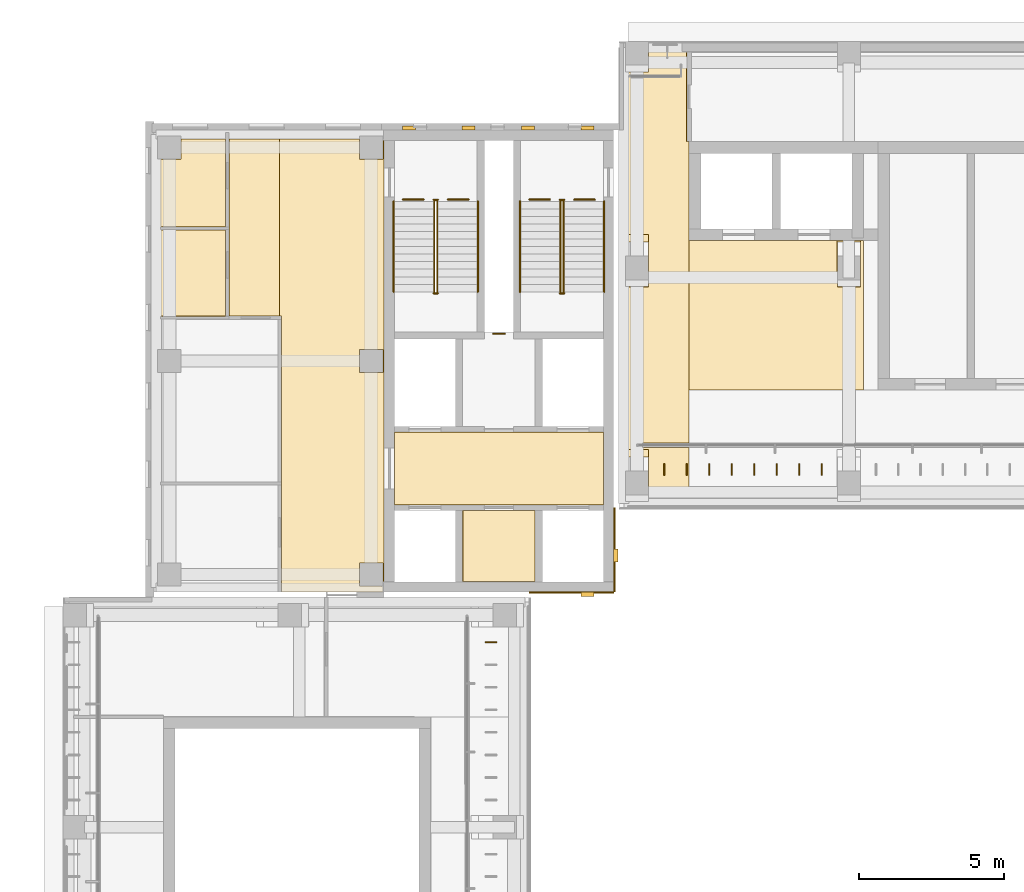
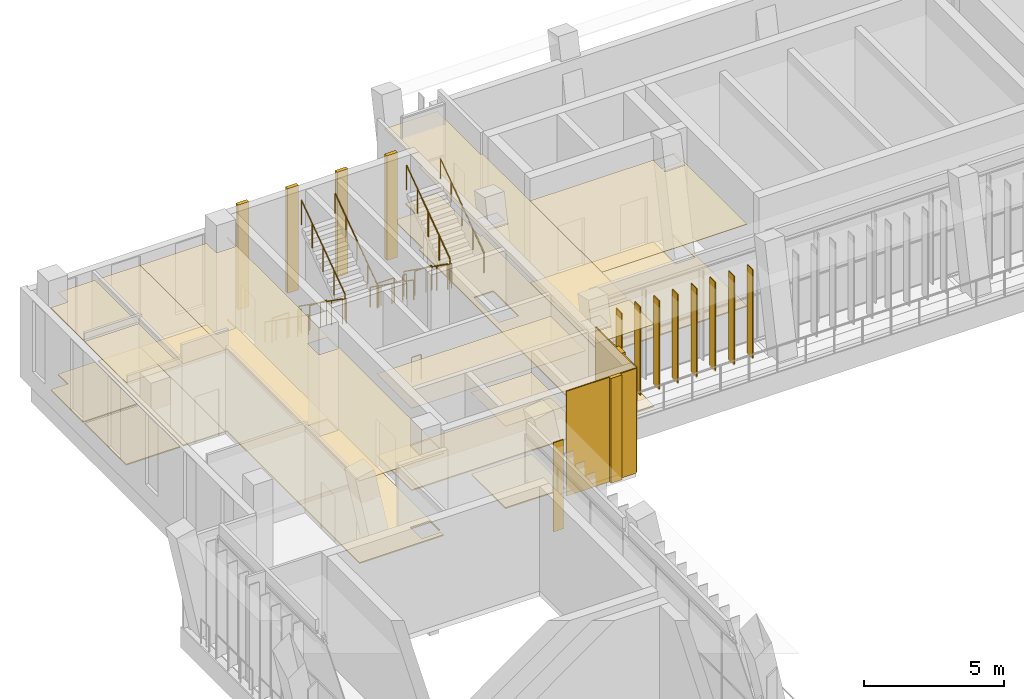
# One storey, part 77 of 89: 24 coverings, 17 railings, 9 shading devices.
"""IFC4 building model written with IfcOpenShell, lengths in metres."""

from ifc_helpers import new_model, si_unit, direction, frame, frame_2d, origin, origin_2d, place, context, subcontext, project, spatial, polyline, rectangle, circle, outline, extrude, material, layer, layer_set, type_object, element, save


model = new_model("IFC4")

# Units and contexts
model_context = context("Model", 3, precision=1e-05, world=origin(), true_north=direction((0.0, 1.0)))
body_context = subcontext(model_context, "Body", "Model", "MODEL_VIEW")
ifc_project = project(units=[si_unit("LENGTHUNIT", "METRE"), si_unit("AREAUNIT", "SQUARE_METRE"), si_unit("VOLUMEUNIT", "CUBIC_METRE"), si_unit("PLANEANGLEUNIT", "RADIAN"), si_unit("MASSUNIT", "GRAM", prefix="KILO")], contexts=[model_context])

# Site, building, storey
site_placement = place(None, origin())
site = spatial("IfcSite", under=ifc_project, at=site_placement, CompositionType="ELEMENT")
building_placement = place(site_placement, origin())
building = spatial("IfcBuilding", under=site, at=building_placement, Name="Lantern Court Media Centre", CompositionType="ELEMENT")
storey_placement = place(building_placement, frame((0.0, 0.0, 14.39990234375)))
storey = spatial("IfcBuildingStorey", under=building, at=storey_placement, Name="L03", CompositionType="ELEMENT", Elevation=14.39990234375)

# Coverings
ifc_material_1 = material(Name="Carpet")
ifc_layer_1 = layer(ifc_material_1, 0.050048828125)
ifc_layer_set_1 = layer_set([ifc_layer_1], Name="Carpet")
covering_type_1 = type_object("IfcCoveringType", Name="Carpet floor finish", PredefinedType="FLOORING", material=ifc_layer_set_1)
covering_1_placement = place(storey_placement, origin())
element("IfcCovering", 1, at=covering_1_placement, inside=storey, type_object=covering_type_1, Name="WC Male floor finish", PredefinedType="FLOORING", context=body_context, shape_type="SweptSolid", body=[
    extrude(outline(polyline([(10.532470703125, 111.699951171875), (10.532470703125, 108.675048828125), (8.300048828125, 108.675048828125), (8.300048828125, 110.9951171875), (9.00341796875, 110.99658203125), (9.0048828125, 111.699951171875), (10.532470703125, 111.699951171875)])), origin(), (0.0, 0.0, 1.0), 0.050048828125),
])
covering_2_placement = place(storey_placement, origin())
element("IfcCovering", 2, at=covering_2_placement, inside=storey, type_object=covering_type_1, Name="WC Female floor finish", PredefinedType="FLOORING", context=body_context, shape_type="SweptSolid", body=[
    extrude(outline(polyline([(8.300048828125, 108.56494140625), (10.532470703125, 108.56494140625), (10.532470703125, 105.594970703125), (8.300048828125, 105.594970703125), (8.300048828125, 108.56494140625)])), origin(), (0.0, 0.0, 1.0), 0.050048828125),
])
ifc_material_2 = material(Name="Ceramic tile")
ifc_layer_2 = layer(ifc_material_2, 0.050048828125)
ifc_layer_set_2 = layer_set([ifc_layer_2], Name="Ceramic tile")
covering_type_2 = type_object("IfcCoveringType", Name="Ceramic tile floor finish", PredefinedType="FLOORING", material=ifc_layer_set_2)
covering_3_placement = place(storey_placement, origin())
element("IfcCovering", 3, at=covering_3_placement, inside=storey, type_object=covering_type_2, Name="Accessible WC floor finish", PredefinedType="FLOORING", context=body_context, shape_type="SweptSolid", body=[
    extrude(outline(polyline([(18.705078125, 96.455078125), (18.705078125, 98.89501953125), (21.195068359375, 98.89501953125), (21.195068359375, 96.455078125), (18.705078125, 96.455078125)])), origin(), (0.0, 0.0, 1.0), 0.050048828125),
])

# Railings
ifc_material_3 = material(Name="Powder-coated steel", Category="steel")
railing_type_1 = type_object("IfcRailingType", Name="Floor edge guard 1100", PredefinedType="GUARDRAIL", material=ifc_material_3)
railing_1_placement = place(storey_placement, frame((16.64990234375, 109.609619140625, 0.0)))
element("IfcRailing", 4, at=railing_1_placement, inside=storey, type_object=railing_type_1, Name="L03 opening guard 92", PredefinedType="GUARDRAIL", context=body_context, shape_type="SweptSolid", body=[
    extrude(circle(Radius=0.02392578125, at=origin_2d()), frame((0.0, 0.0, 1.076171875), z_axis=(1.0, 0.0, 0.0), x_axis=(0.0, 1.0, 0.0)), (0.0, 0.0, 1.0), 0.703857421875),
    extrude(circle(Radius=0.02099609375, at=origin_2d()), origin(), (0.0, 0.0, 1.0), 1.052001953125),
    extrude(circle(Radius=0.02099609375, at=origin_2d()), frame((0.703857421875, 0.0, 0.0)), (0.0, 0.0, 1.0), 1.052001953125),
])
for number, where, name in (
    (5, (18.1962890625, 109.609619140625, 0.0), "L03 opening guard 93"),
    (6, (21.0, 109.609619140625, 0.0), "L03 opening guard 94"),
    (7, (22.54638671875, 109.609619140625, 0.0), "L03 opening guard 95"),
):
    element("IfcRailing", number, at=place(storey_placement, frame(where)), inside=storey, type_object=railing_type_1, Name=name, PredefinedType="GUARDRAIL", context=body_context, shape_type="SweptSolid", body=[
        extrude(circle(Radius=0.02392578125, at=origin_2d()), frame((0.0, 0.0, 1.076171875), z_axis=(1.0, 0.0, 0.0), x_axis=(0.0, 1.0, 0.0)), (0.0, 0.0, 1.0), 0.70361328125),
        extrude(circle(Radius=0.02099609375, at=origin_2d()), origin(), (0.0, 0.0, 1.0), 1.052001953125),
        extrude(circle(Radius=0.02099609375, at=origin_2d()), frame((0.70361328125, 0.0, 0.0)), (0.0, 0.0, 1.0), 1.052001953125),
    ])
railing_2_placement = place(storey_placement, frame((20.14990234375, 104.989990234375, 0.0)))
element("IfcRailing", 8, at=railing_2_placement, inside=storey, type_object=railing_type_1, Name="L03 opening guard 96", PredefinedType="GUARDRAIL", context=body_context, shape_type="SweptSolid", body=[
    extrude(circle(Radius=0.02392578125, at=origin_2d()), frame((0.0, 0.0, 1.076171875), z_axis=(-1.0, 0.0, 0.0), x_axis=(0.0, -1.0, 0.0)), (0.0, 0.0, 1.0), 0.39990234375),
    extrude(circle(Radius=0.02099609375, at=origin_2d()), origin(), (0.0, 0.0, 1.0), 1.052001953125),
    extrude(circle(Radius=0.02099609375, at=origin_2d()), frame((-0.39990234375, 0.0, 0.0)), (0.0, 0.0, 1.0), 1.052001953125),
])

# Coverings
ifc_material_4 = material(Name="Honed limestone cladding", Category="masonry")
ifc_layer_3 = layer(ifc_material_4, 0.050048828125)
ifc_layer_set_3 = layer_set([ifc_layer_3], Name="Honed limestone cladding")
covering_type_3 = type_object("IfcCoveringType", Name="Limestone cladding panel 50", PredefinedType="CLADDING", material=ifc_layer_set_3)
for number, where, z_axis, x_axis, name in (
    (9, (23.925048828125, 96.10009765625, 0.0), (0.0, 0.0, 1.0), (0.0, 1.0, 0.0), "Limestone joint cladding N-NW L03"),
    (10, (21.0, 96.074951171875, 0.0), (0.0, 0.0, 1.0), (1.0, 0.0, 0.0), "Limestone joint cladding W-NW L03"),
):
    element("IfcCovering", number, at=place(storey_placement, frame(where, z_axis=z_axis, x_axis=x_axis)), inside=storey, type_object=covering_type_3, Name=name, PredefinedType="CLADDING", context=body_context, shape_type="SweptSolid", body=[
        extrude(rectangle(XDim=2.89990234375, YDim=0.050048828125, at=frame_2d((1.449951171875, 0.0))), origin(), (0.0, 0.0, 1.0), 4.580078125),
    ])
ifc_layer_4 = layer(ifc_material_4, 0.14990234375)
ifc_layer_set_4 = layer_set([ifc_layer_4], Name="Honed limestone cladding")
covering_type_4 = type_object("IfcCoveringType", Name="Limestone pilaster cladding 150", PredefinedType="CLADDING", material=ifc_layer_set_4)
covering_4_placement = place(storey_placement, frame((22.77490234375, 96.02490234375, 0.0), z_axis=(0.0, 0.0, 1.0), x_axis=(1.0, 0.0, 0.0)))
element("IfcCovering", 11, at=covering_4_placement, inside=storey, type_object=covering_type_4, Name="Limestone pilaster rib", PredefinedType="CLADDING", context=body_context, shape_type="SweptSolid", body=[
    extrude(rectangle(XDim=0.4501953125, YDim=0.14990234375, at=frame_2d((0.22509765625, 0.0))), origin(), (0.0, 0.0, 1.0), 4.580078125),
])
for number, where, z_axis, x_axis, name in (
    (12, (16.625, 112.074951171875, 0.0), (0.0, 0.0, 1.0), (1.0, 0.0, 0.0), "Limestone pilaster rib"),
    (13, (18.675048828125, 112.074951171875, 0.0), (0.0, 0.0, 1.0), (1.0, 0.0, 0.0), "Limestone pilaster rib"),
    (14, (20.72509765625, 112.074951171875, 0.0), (0.0, 0.0, 1.0), (1.0, 0.0, 0.0), "Limestone pilaster rib"),
):
    element("IfcCovering", number, at=place(storey_placement, frame(where, z_axis=z_axis, x_axis=x_axis)), inside=storey, type_object=covering_type_4, Name=name, PredefinedType="CLADDING", context=body_context, shape_type="SweptSolid", body=[
        extrude(rectangle(XDim=0.449951171875, YDim=0.14990234375, at=frame_2d((0.22509765625, 0.0))), origin(), (0.0, 0.0, 1.0), 4.580078125),
    ])
covering_5_placement = place(storey_placement, frame((22.77490234375, 112.074951171875, 0.0), z_axis=(0.0, 0.0, 1.0), x_axis=(1.0, 0.0, 0.0)))
element("IfcCovering", 15, at=covering_5_placement, inside=storey, type_object=covering_type_4, Name="Limestone pilaster rib", PredefinedType="CLADDING", context=body_context, shape_type="SweptSolid", body=[
    extrude(rectangle(XDim=0.4501953125, YDim=0.14990234375, at=frame_2d((0.22509765625, 0.0))), origin(), (0.0, 0.0, 1.0), 4.580078125),
])
covering_6_placement = place(storey_placement, frame((23.97509765625, 97.125, 0.0), z_axis=(0.0, 0.0, 1.0), x_axis=(0.0, 1.0, 0.0)))
element("IfcCovering", 16, at=covering_6_placement, inside=storey, type_object=covering_type_4, Name="Limestone pilaster rib", PredefinedType="CLADDING", context=body_context, shape_type="SweptSolid", body=[
    extrude(rectangle(XDim=0.449951171875, YDim=0.14990234375, at=frame_2d((0.22509765625, 0.0))), origin(), (0.0, 0.0, 1.0), 4.580078125),
])

# Railings
railing_type_2 = type_object("IfcRailingType", Name="Stair guard 1100", PredefinedType="GUARDRAIL", material=ifc_material_3)
railing_3_placement = place(storey_placement, frame((17.72412109375, 109.550048828125, 0.184814453125)))
element("IfcRailing", 17, at=railing_3_placement, inside=storey, type_object=railing_type_2, Name="L03 ST-NWA stair guard 1", PredefinedType="GUARDRAIL", context=body_context, shape_type="SweptSolid", body=[
    extrude(circle(Radius=0.02392578125, at=origin_2d()), frame((0.0, 0.0, 1.076171875), z_axis=(0.0, -0.815376961211, 0.578930402662), x_axis=(1.0, 0.0, 0.0)), (0.0, 0.0, 1.0), 3.82666015625),
    extrude(circle(Radius=0.02099609375, at=origin_2d()), origin(), (0.0, 0.0, 1.0), 1.052001953125),
    extrude(circle(Radius=0.02099609375, at=origin_2d()), frame((0.0, -0.780029296875, 0.5537109375)), (0.0, 0.0, 1.0), 1.052001953125),
    extrude(circle(Radius=0.02099609375, at=origin_2d()), frame((0.0, -1.56005859375, 1.107666015625)), (0.0, 0.0, 1.0), 1.052001953125),
    extrude(circle(Radius=0.02099609375, at=origin_2d()), frame((0.0, -2.340087890625, 1.66162109375)), (0.0, 0.0, 1.0), 1.052001953125),
    extrude(circle(Radius=0.02099609375, at=origin_2d()), frame((0.0, -3.1201171875, 2.21533203125)), (0.0, 0.0, 1.0), 1.052001953125),
])
railing_4_placement = place(storey_placement, frame((17.699951171875, 106.3798828125, 2.400146484375)))
element("IfcRailing", 18, at=railing_4_placement, inside=storey, type_object=railing_type_2, Name="L03 ST-NWA stair guard 2", PredefinedType="GUARDRAIL", context=body_context, shape_type="SweptSolid", body=[
    extrude(circle(Radius=0.02392578125, at=origin_2d()), frame((0.0, 0.0, 1.076171875), z_axis=(1.0, 0.0, 0.0), x_axis=(0.0, 1.0, 0.0)), (0.0, 0.0, 1.0), 0.150146484375),
    extrude(circle(Radius=0.02099609375, at=origin_2d()), origin(), (0.0, 0.0, 1.0), 1.052001953125),
    extrude(circle(Radius=0.02099609375, at=origin_2d()), frame((0.150146484375, 0.0, 0.0)), (0.0, 0.0, 1.0), 1.052001953125),
])
railing_5_placement = place(storey_placement, frame((17.825927734375, 106.429931640625, 2.584716796875)))
element("IfcRailing", 19, at=railing_5_placement, inside=storey, type_object=railing_type_2, Name="L03 ST-NWA stair guard 3", PredefinedType="GUARDRAIL", context=body_context, shape_type="SweptSolid", body=[
    extrude(circle(Radius=0.02392578125, at=origin_2d()), frame((0.0, 0.0, 1.076171875), z_axis=(0.0, 0.815376961211, 0.578930402662), x_axis=(-1.0, 0.0, 0.0)), (0.0, 0.0, 1.0), 3.82666015625),
    extrude(circle(Radius=0.02099609375, at=origin_2d()), origin(), (0.0, 0.0, 1.0), 1.052001953125),
    extrude(circle(Radius=0.02099609375, at=origin_2d()), frame((0.0, 0.780029296875, 0.5537109375)), (0.0, 0.0, 1.0), 1.052001953125),
    extrude(circle(Radius=0.02099609375, at=origin_2d()), frame((0.0, 1.56005859375, 1.107666015625)), (0.0, 0.0, 1.0), 1.052001953125),
    extrude(circle(Radius=0.02099609375, at=origin_2d()), frame((0.0, 2.340087890625, 1.66162109375)), (0.0, 0.0, 1.0), 1.052001953125),
    extrude(circle(Radius=0.02099609375, at=origin_2d()), frame((0.0, 3.1201171875, 2.21533203125)), (0.0, 0.0, 1.0), 1.052001953125),
])
railing_6_placement = place(storey_placement, frame((17.699951171875, 109.60009765625, 0.0)))
element("IfcRailing", 20, at=railing_6_placement, inside=storey, type_object=railing_type_2, Name="L03 ST-NWA stair guard 4", PredefinedType="GUARDRAIL", context=body_context, shape_type="SweptSolid", body=[
    extrude(circle(Radius=0.02392578125, at=origin_2d()), frame((0.0, 0.0, 1.076171875), z_axis=(1.0, 0.0, 0.0), x_axis=(0.0, 1.0, 0.0)), (0.0, 0.0, 1.0), 0.150146484375),
    extrude(circle(Radius=0.02099609375, at=origin_2d()), origin(), (0.0, 0.0, 1.0), 1.052001953125),
    extrude(circle(Radius=0.02099609375, at=origin_2d()), frame((0.150146484375, 0.0, 0.0)), (0.0, 0.0, 1.0), 1.052001953125),
])
railing_7_placement = place(storey_placement, frame((22.073974609375, 109.550048828125, 0.184814453125)))
element("IfcRailing", 21, at=railing_7_placement, inside=storey, type_object=railing_type_2, Name="L03 ST-NWB stair guard 1", PredefinedType="GUARDRAIL", context=body_context, shape_type="SweptSolid", body=[
    extrude(circle(Radius=0.02392578125, at=origin_2d()), frame((0.0, 0.0, 1.076171875), z_axis=(0.0, -0.815376961211, 0.578930402662), x_axis=(1.0, 0.0, 0.0)), (0.0, 0.0, 1.0), 3.82666015625),
    extrude(circle(Radius=0.02099609375, at=origin_2d()), origin(), (0.0, 0.0, 1.0), 1.052001953125),
    extrude(circle(Radius=0.02099609375, at=origin_2d()), frame((0.0, -0.780029296875, 0.5537109375)), (0.0, 0.0, 1.0), 1.052001953125),
    extrude(circle(Radius=0.02099609375, at=origin_2d()), frame((0.0, -1.56005859375, 1.107666015625)), (0.0, 0.0, 1.0), 1.052001953125),
    extrude(circle(Radius=0.02099609375, at=origin_2d()), frame((0.0, -2.340087890625, 1.66162109375)), (0.0, 0.0, 1.0), 1.052001953125),
    extrude(circle(Radius=0.02099609375, at=origin_2d()), frame((0.0, -3.1201171875, 2.21533203125)), (0.0, 0.0, 1.0), 1.052001953125),
])
railing_8_placement = place(storey_placement, frame((22.050048828125, 106.3798828125, 2.400146484375)))
element("IfcRailing", 22, at=railing_8_placement, inside=storey, type_object=railing_type_2, Name="L03 ST-NWB stair guard 2", PredefinedType="GUARDRAIL", context=body_context, shape_type="SweptSolid", body=[
    extrude(circle(Radius=0.02392578125, at=origin_2d()), frame((0.0, 0.0, 1.076171875), z_axis=(1.0, 0.0, 0.0), x_axis=(0.0, 1.0, 0.0)), (0.0, 0.0, 1.0), 0.14990234375),
    extrude(circle(Radius=0.02099609375, at=origin_2d()), origin(), (0.0, 0.0, 1.0), 1.052001953125),
    extrude(circle(Radius=0.02099609375, at=origin_2d()), frame((0.14990234375, 0.0, 0.0)), (0.0, 0.0, 1.0), 1.052001953125),
])
railing_9_placement = place(storey_placement, frame((22.176025390625, 106.429931640625, 2.584716796875)))
element("IfcRailing", 23, at=railing_9_placement, inside=storey, type_object=railing_type_2, Name="L03 ST-NWB stair guard 3", PredefinedType="GUARDRAIL", context=body_context, shape_type="SweptSolid", body=[
    extrude(circle(Radius=0.02392578125, at=origin_2d()), frame((0.0, 0.0, 1.076171875), z_axis=(0.0, 0.815376961211, 0.578930402662), x_axis=(-1.0, 0.0, 0.0)), (0.0, 0.0, 1.0), 3.82666015625),
    extrude(circle(Radius=0.02099609375, at=origin_2d()), origin(), (0.0, 0.0, 1.0), 1.052001953125),
    extrude(circle(Radius=0.02099609375, at=origin_2d()), frame((0.0, 0.780029296875, 0.5537109375)), (0.0, 0.0, 1.0), 1.052001953125),
    extrude(circle(Radius=0.02099609375, at=origin_2d()), frame((0.0, 1.56005859375, 1.107666015625)), (0.0, 0.0, 1.0), 1.052001953125),
    extrude(circle(Radius=0.02099609375, at=origin_2d()), frame((0.0, 2.340087890625, 1.66162109375)), (0.0, 0.0, 1.0), 1.052001953125),
    extrude(circle(Radius=0.02099609375, at=origin_2d()), frame((0.0, 3.1201171875, 2.21533203125)), (0.0, 0.0, 1.0), 1.052001953125),
])
railing_10_placement = place(storey_placement, frame((22.050048828125, 109.60009765625, 0.0)))
element("IfcRailing", 24, at=railing_10_placement, inside=storey, type_object=railing_type_2, Name="L03 ST-NWB stair guard 4", PredefinedType="GUARDRAIL", context=body_context, shape_type="SweptSolid", body=[
    extrude(circle(Radius=0.02392578125, at=origin_2d()), frame((0.0, 0.0, 1.076171875), z_axis=(1.0, 0.0, 0.0), x_axis=(0.0, 1.0, 0.0)), (0.0, 0.0, 1.0), 0.14990234375),
    extrude(circle(Radius=0.02099609375, at=origin_2d()), origin(), (0.0, 0.0, 1.0), 1.052001953125),
    extrude(circle(Radius=0.02099609375, at=origin_2d()), frame((0.14990234375, 0.0, 0.0)), (0.0, 0.0, 1.0), 1.052001953125),
])
railing_type_3 = type_object("IfcRailingType", Name="Stair handrail 900", PredefinedType="HANDRAIL", material=ifc_material_3)
railing_11_placement = place(storey_placement, frame((16.325927734375, 109.550048828125, 0.184814453125)))
element("IfcRailing", 25, at=railing_11_placement, inside=storey, type_object=railing_type_3, Name="L03 ST-NWA stair handrail 1", PredefinedType="HANDRAIL", context=body_context, shape_type="SweptSolid", body=[
    extrude(circle(Radius=0.02392578125, at=origin_2d()), frame((0.0, 0.0, 0.8759765625), z_axis=(0.0, -0.815376961211, 0.578930402662), x_axis=(1.0, 0.0, 0.0)), (0.0, 0.0, 1.0), 3.82666015625),
    extrude(circle(Radius=0.02099609375, at=origin_2d()), origin(), (0.0, 0.0, 1.0), 0.851806640625),
    extrude(circle(Radius=0.02099609375, at=origin_2d()), frame((0.0, -0.780029296875, 0.5537109375)), (0.0, 0.0, 1.0), 0.851806640625),
    extrude(circle(Radius=0.02099609375, at=origin_2d()), frame((0.0, -1.56005859375, 1.107666015625)), (0.0, 0.0, 1.0), 0.851806640625),
    extrude(circle(Radius=0.02099609375, at=origin_2d()), frame((0.0, -2.340087890625, 1.66162109375)), (0.0, 0.0, 1.0), 0.851806640625),
    extrude(circle(Radius=0.02099609375, at=origin_2d()), frame((0.0, -3.1201171875, 2.21533203125)), (0.0, 0.0, 1.0), 0.851806640625),
])
railing_12_placement = place(storey_placement, frame((19.22412109375, 106.429931640625, 2.584716796875)))
element("IfcRailing", 26, at=railing_12_placement, inside=storey, type_object=railing_type_3, Name="L03 ST-NWA stair handrail 2", PredefinedType="HANDRAIL", context=body_context, shape_type="SweptSolid", body=[
    extrude(circle(Radius=0.02392578125, at=origin_2d()), frame((0.0, 0.0, 0.8759765625), z_axis=(0.0, 0.815376961211, 0.578930402662), x_axis=(-1.0, 0.0, 0.0)), (0.0, 0.0, 1.0), 3.82666015625),
    extrude(circle(Radius=0.02099609375, at=origin_2d()), origin(), (0.0, 0.0, 1.0), 0.851806640625),
    extrude(circle(Radius=0.02099609375, at=origin_2d()), frame((0.0, 0.780029296875, 0.5537109375)), (0.0, 0.0, 1.0), 0.851806640625),
    extrude(circle(Radius=0.02099609375, at=origin_2d()), frame((0.0, 1.56005859375, 1.107666015625)), (0.0, 0.0, 1.0), 0.851806640625),
    extrude(circle(Radius=0.02099609375, at=origin_2d()), frame((0.0, 2.340087890625, 1.66162109375)), (0.0, 0.0, 1.0), 0.851806640625),
    extrude(circle(Radius=0.02099609375, at=origin_2d()), frame((0.0, 3.1201171875, 2.21533203125)), (0.0, 0.0, 1.0), 0.851806640625),
])
railing_13_placement = place(storey_placement, frame((20.676025390625, 109.550048828125, 0.184814453125)))
element("IfcRailing", 27, at=railing_13_placement, inside=storey, type_object=railing_type_3, Name="L03 ST-NWB stair handrail 1", PredefinedType="HANDRAIL", context=body_context, shape_type="SweptSolid", body=[
    extrude(circle(Radius=0.02392578125, at=origin_2d()), frame((0.0, 0.0, 0.8759765625), z_axis=(0.0, -0.815376961211, 0.578930402662), x_axis=(1.0, 0.0, 0.0)), (0.0, 0.0, 1.0), 3.82666015625),
    extrude(circle(Radius=0.02099609375, at=origin_2d()), origin(), (0.0, 0.0, 1.0), 0.851806640625),
    extrude(circle(Radius=0.02099609375, at=origin_2d()), frame((0.0, -0.780029296875, 0.5537109375)), (0.0, 0.0, 1.0), 0.851806640625),
    extrude(circle(Radius=0.02099609375, at=origin_2d()), frame((0.0, -1.56005859375, 1.107666015625)), (0.0, 0.0, 1.0), 0.851806640625),
    extrude(circle(Radius=0.02099609375, at=origin_2d()), frame((0.0, -2.340087890625, 1.66162109375)), (0.0, 0.0, 1.0), 0.851806640625),
    extrude(circle(Radius=0.02099609375, at=origin_2d()), frame((0.0, -3.1201171875, 2.21533203125)), (0.0, 0.0, 1.0), 0.851806640625),
])
railing_14_placement = place(storey_placement, frame((23.573974609375, 106.429931640625, 2.584716796875)))
element("IfcRailing", 28, at=railing_14_placement, inside=storey, type_object=railing_type_3, Name="L03 ST-NWB stair handrail 2", PredefinedType="HANDRAIL", context=body_context, shape_type="SweptSolid", body=[
    extrude(circle(Radius=0.02392578125, at=origin_2d()), frame((0.0, 0.0, 0.8759765625), z_axis=(0.0, 0.815376961211, 0.578930402662), x_axis=(-1.0, 0.0, 0.0)), (0.0, 0.0, 1.0), 3.82666015625),
    extrude(circle(Radius=0.02099609375, at=origin_2d()), origin(), (0.0, 0.0, 1.0), 0.851806640625),
    extrude(circle(Radius=0.02099609375, at=origin_2d()), frame((0.0, 0.780029296875, 0.5537109375)), (0.0, 0.0, 1.0), 0.851806640625),
    extrude(circle(Radius=0.02099609375, at=origin_2d()), frame((0.0, 1.56005859375, 1.107666015625)), (0.0, 0.0, 1.0), 0.851806640625),
    extrude(circle(Radius=0.02099609375, at=origin_2d()), frame((0.0, 2.340087890625, 1.66162109375)), (0.0, 0.0, 1.0), 0.851806640625),
    extrude(circle(Radius=0.02099609375, at=origin_2d()), frame((0.0, 3.1201171875, 2.21533203125)), (0.0, 0.0, 1.0), 0.851806640625),
])

# Coverings
ifc_material_5 = material(Name="Mineral fibre ceiling tile")
ifc_layer_5 = layer(ifc_material_5, 0.02001953125)
ifc_layer_set_5 = layer_set([ifc_layer_5], Name="Mineral fibre ceiling tile")
covering_type_5 = type_object("IfcCoveringType", Name="Suspended ceiling tile", PredefinedType="CEILING", material=ifc_layer_set_5)
covering_7_placement = place(storey_placement, frame((0.0, 0.0, 3.60009765625)))
element("IfcCovering", 29, at=covering_7_placement, inside=storey, type_object=covering_type_5, Name="End Lobby ceiling", PredefinedType="CEILING", context=body_context, shape_type="SweptSolid", body=[
    extrude(outline(polyline([(26.5, 99.300048828125), (24.10009765625, 99.300048828125), (24.10009765625, 111.99951171875), (24.240478515625, 112.0), (24.240478515625, 114.699951171875), (26.5, 114.699462890625), (26.41943359375, 114.695068359375), (26.41943359375, 111.60498046875), (26.5, 111.6044921875), (26.5, 101.2255859375), (24.8994140625, 101.22509765625), (24.89990234375, 101.074462890625), (26.5, 101.074462890625), (26.5, 99.300048828125)]), holes=[polyline([(25.10009765625, 107.3515625), (25.10009765625, 107.400390625), (24.299560546875, 107.400146484375), (24.300048828125, 107.3515625), (25.10009765625, 107.3515625)]), polyline([(25.10009765625, 100.199462890625), (25.100341796875, 100.75244140625), (24.299560546875, 100.75244140625), (24.2998046875, 100.199462890625), (25.10009765625, 100.199462890625)]), polyline([(25.10009765625, 99.95166015625), (25.10009765625, 100.00048828125), (24.299560546875, 100.0), (24.300048828125, 99.95166015625), (25.10009765625, 99.95166015625)]), polyline([(25.1005859375, 108.152099609375), (24.2998046875, 108.152587890625), (24.299560546875, 107.599609375), (25.100341796875, 107.599609375), (25.1005859375, 108.152099609375)])]), origin(), (0.0, 0.0, 1.0), 0.02001953125),
])
covering_8_placement = place(storey_placement, frame((0.0, 0.0, 3.60009765625)))
element("IfcCovering", 30, at=covering_8_placement, inside=storey, type_object=covering_type_5, Name="Lift Lobby ceiling", PredefinedType="CEILING", context=body_context, shape_type="SweptSolid", body=[
    extrude(outline(polyline([(32.5, 103.050048828125), (26.5, 103.050048828125), (26.5, 108.199462890625), (32.5, 108.199462890625), (32.5, 103.050048828125)]), holes=[polyline([(32.39990234375, 107.599609375), (32.400390625, 108.152587890625), (31.599609375, 108.15234375), (31.599609375, 107.599609375), (32.39990234375, 107.599609375)]), polyline([(32.400390625, 107.39990234375), (31.599853515625, 107.400390625), (31.599609375, 107.35205078125), (32.400146484375, 107.3515625), (32.400390625, 107.39990234375)])]), origin(), (0.0, 0.0, 1.0), 0.02001953125),
])
covering_9_placement = place(storey_placement, frame((0.0, 0.0, 3.60009765625)))
element("IfcCovering", 31, at=covering_9_placement, inside=storey, type_object=covering_type_5, Name="Lift Lobby ceiling", PredefinedType="CEILING", context=body_context, shape_type="SweptSolid", body=[
    extrude(outline(polyline([(16.3505859375, 99.1005859375), (16.3505859375, 101.599609375), (23.549560546875, 101.599609375), (23.549560546875, 99.1005859375), (16.3505859375, 99.1005859375)])), origin(), (0.0, 0.0, 1.0), 0.02001953125),
])
covering_10_placement = place(storey_placement, frame((0.0, 0.0, 3.60009765625)))
element("IfcCovering", 32, at=covering_10_placement, inside=storey, type_object=covering_type_5, Name="Accessible WC ceiling", PredefinedType="CEILING", context=body_context, shape_type="SweptSolid", body=[
    extrude(outline(polyline([(21.199462890625, 96.450439453125), (18.700439453125, 96.450439453125), (18.700439453125, 98.8994140625), (21.199462890625, 98.8994140625), (21.199462890625, 96.450439453125)])), origin(), (0.0, 0.0, 1.0), 0.02001953125),
])
covering_11_placement = place(storey_placement, frame((0.0, 0.0, 3.60009765625)))
element("IfcCovering", 33, at=covering_11_placement, inside=storey, type_object=covering_type_5, Name="Corridor ceiling", PredefinedType="CEILING", context=body_context, shape_type="SweptSolid", body=[
    extrude(outline(polyline([(12.39990234375, 111.699951171875), (15.1494140625, 111.699951171875), (15.14990234375, 110.99951171875), (15.950439453125, 110.99951171875), (15.950439453125, 111.6494140625), (15.99951171875, 111.6494140625), (15.99951171875, 96.450439453125), (15.950439453125, 96.450439453125), (15.950439453125, 97.100341796875), (15.1494140625, 97.10009765625), (15.149658203125, 96.299560546875), (15.949462890625, 96.299560546875), (15.949462890625, 96.1005859375), (12.462890625, 96.10009765625), (12.462890625, 105.6025390625), (12.39990234375, 105.60302734375), (12.39990234375, 111.699951171875)]), holes=[polyline([(15.949951171875, 103.6494140625), (15.950439453125, 104.450439453125), (15.149658203125, 104.450439453125), (15.149658203125, 103.649658203125), (15.949951171875, 103.6494140625)])]), origin(), (0.0, 0.0, 1.0), 0.02001953125),
])
covering_12_placement = place(storey_placement, frame((0.0, 0.0, 3.60009765625)))
element("IfcCovering", 34, at=covering_12_placement, inside=storey, type_object=covering_type_5, Name="WC Lobby ceiling", PredefinedType="CEILING", context=body_context, shape_type="SweptSolid", body=[
    extrude(outline(polyline([(12.39990234375, 111.699951171875), (12.39990234375, 105.60302734375), (10.6630859375, 105.60302734375), (10.6630859375, 111.699951171875), (12.39990234375, 111.699951171875)])), origin(), (0.0, 0.0, 1.0), 0.02001953125),
])
covering_13_placement = place(storey_placement, frame((0.0, 0.0, 3.60009765625)))
element("IfcCovering", 35, at=covering_13_placement, inside=storey, type_object=covering_type_5, Name="WC Male ceiling", PredefinedType="CEILING", context=body_context, shape_type="SweptSolid", body=[
    extrude(outline(polyline([(10.537109375, 111.699951171875), (10.537109375, 108.67041015625), (8.300048828125, 108.67041015625), (8.300048828125, 110.99951171875), (9.000244140625, 110.999755859375), (9.00048828125, 111.699951171875), (10.537109375, 111.699951171875)])), origin(), (0.0, 0.0, 1.0), 0.02001953125),
])
covering_14_placement = place(storey_placement, frame((0.0, 0.0, 3.60009765625)))
element("IfcCovering", 36, at=covering_14_placement, inside=storey, type_object=covering_type_5, Name="WC Female ceiling", PredefinedType="CEILING", context=body_context, shape_type="SweptSolid", body=[
    extrude(outline(polyline([(8.300048828125, 108.569580078125), (10.537109375, 108.569580078125), (10.537109375, 105.590576171875), (8.300048828125, 105.590576171875), (8.300048828125, 108.569580078125)])), origin(), (0.0, 0.0, 1.0), 0.02001953125),
])
ifc_material_6 = material(Name="Terrazzo")
ifc_layer_6 = layer(ifc_material_6, 0.050048828125)
ifc_layer_set_6 = layer_set([ifc_layer_6], Name="Terrazzo")
covering_type_6 = type_object("IfcCoveringType", Name="Terrazzo floor finish", PredefinedType="FLOORING", material=ifc_layer_set_6)
covering_15_placement = place(storey_placement, origin())
element("IfcCovering", 37, at=covering_15_placement, inside=storey, type_object=covering_type_6, Name="End Lobby floor finish", PredefinedType="FLOORING", context=body_context, shape_type="SweptSolid", body=[
    extrude(outline(polyline([(26.5, 99.300048828125), (25.10498046875, 99.300048828125), (25.10009765625, 101.0048828125), (24.295654296875, 101.00244140625), (24.294921875, 99.300048828125), (24.10009765625, 99.300048828125), (24.10009765625, 111.9951171875), (24.244873046875, 111.99951171875), (24.2451171875, 114.699951171875), (24.294921875, 114.699951171875), (24.300048828125, 113.9951171875), (25.103271484375, 113.99609375), (25.10498046875, 114.699951171875), (26.4150390625, 114.695068359375), (26.4150390625, 111.60498046875), (26.4951171875, 111.60009765625), (26.5, 101.22998046875), (24.8994140625, 101.22998046875), (24.89501953125, 101.074951171875), (26.5, 101.070068359375), (26.5, 99.300048828125)]), holes=[polyline([(24.294921875, 106.60009765625), (25.104736328125, 106.59814453125), (25.101806640625, 108.404541015625), (24.29541015625, 108.40185546875), (24.294921875, 106.60009765625)])]), origin(), (0.0, 0.0, 1.0), 0.050048828125),
])
covering_16_placement = place(storey_placement, origin())
element("IfcCovering", 38, at=covering_16_placement, inside=storey, type_object=covering_type_6, Name="Lift Lobby floor finish", PredefinedType="FLOORING", context=body_context, shape_type="SweptSolid", body=[
    extrude(outline(polyline([(32.5, 103.050048828125), (26.5, 103.050048828125), (26.5, 108.195068359375), (31.594970703125, 108.195068359375), (31.60009765625, 106.594970703125), (32.404296875, 106.59765625), (32.405029296875, 108.195068359375), (32.5, 108.195068359375), (32.5, 103.050048828125)])), origin(), (0.0, 0.0, 1.0), 0.050048828125),
])
covering_17_placement = place(storey_placement, origin())
element("IfcCovering", 39, at=covering_17_placement, inside=storey, type_object=covering_type_6, Name="Lift Lobby floor finish", PredefinedType="FLOORING", context=body_context, shape_type="SweptSolid", body=[
    extrude(outline(polyline([(16.35498046875, 99.10498046875), (16.35498046875, 101.594970703125), (23.544921875, 101.594970703125), (23.544921875, 99.10498046875), (16.35498046875, 99.10498046875)])), origin(), (0.0, 0.0, 1.0), 0.050048828125),
])
covering_18_placement = place(storey_placement, origin())
element("IfcCovering", 40, at=covering_18_placement, inside=storey, type_object=covering_type_6, Name="Corridor floor finish", PredefinedType="FLOORING", context=body_context, shape_type="SweptSolid", body=[
    extrude(outline(polyline([(12.39990234375, 111.699951171875), (15.14501953125, 111.699951171875), (15.14990234375, 110.9951171875), (15.953125, 110.99609375), (15.955078125, 111.64501953125), (15.9951171875, 111.64501953125), (15.9951171875, 96.455078125), (15.955078125, 96.455078125), (15.953125, 97.103759765625), (15.14501953125, 97.10009765625), (15.146240234375, 96.296875), (15.945068359375, 96.294921875), (15.945068359375, 96.10498046875), (12.467529296875, 96.10009765625), (12.467529296875, 105.6025390625), (12.39990234375, 105.607421875), (12.39990234375, 111.699951171875)]), holes=[polyline([(15.14501953125, 103.64990234375), (15.95361328125, 103.646484375), (15.95361328125, 104.45361328125), (15.146484375, 104.45361328125), (15.14501953125, 103.64990234375)])]), origin(), (0.0, 0.0, 1.0), 0.050048828125),
])
covering_19_placement = place(storey_placement, origin())
element("IfcCovering", 41, at=covering_19_placement, inside=storey, type_object=covering_type_6, Name="WC Lobby floor finish", PredefinedType="FLOORING", context=body_context, shape_type="SweptSolid", body=[
    extrude(outline(polyline([(12.39990234375, 111.699951171875), (12.39990234375, 105.607421875), (10.66748046875, 105.607421875), (10.66748046875, 111.699951171875), (12.39990234375, 111.699951171875)])), origin(), (0.0, 0.0, 1.0), 0.050048828125),
])

# Shading devices
ifc_material_7 = material(Name="Bronze anodised aluminium louvre", Category="aluminium")
ifc_layer_7 = layer(ifc_material_7, 0.0400390625)
ifc_layer_set_7 = layer_set([ifc_layer_7], Name="Bronze anodised aluminium louvre")
shading_device_type = type_object("IfcShadingDeviceType", Name="Vertical louvre 40x400 under beam", PredefinedType="USERDEFINED", material=ifc_layer_set_7)
for number, where, z_axis, x_axis, name in (
    (42, (25.637451171875, 100.320068359375, 0.000244140625), (0.0, 0.0, 1.0), (1.0, 0.0, 0.0), "Vertical louvre N inner L03"),
    (43, (26.41259765625, 100.320068359375, 0.000244140625), (0.0, 0.0, 1.0), (1.0, 0.0, 0.0), "Vertical louvre N inner L03"),
    (44, (27.1875, 100.320068359375, 0.000244140625), (0.0, 0.0, 1.0), (1.0, 0.0, 0.0), "Vertical louvre N inner L03"),
    (45, (27.96240234375, 100.320068359375, 0.000244140625), (0.0, 0.0, 1.0), (1.0, 0.0, 0.0), "Vertical louvre N inner L03"),
    (46, (28.737548828125, 100.320068359375, 0.000244140625), (0.0, 0.0, 1.0), (1.0, 0.0, 0.0), "Vertical louvre N inner L03"),
    (47, (29.512451171875, 100.320068359375, 0.000244140625), (0.0, 0.0, 1.0), (1.0, 0.0, 0.0), "Vertical louvre N inner L03"),
    (48, (30.28759765625, 100.320068359375, 0.000244140625), (0.0, 0.0, 1.0), (1.0, 0.0, 0.0), "Vertical louvre N inner L03"),
    (49, (31.0625, 100.320068359375, 0.000244140625), (0.0, 0.0, 1.0), (1.0, 0.0, 0.0), "Vertical louvre N inner L03"),
):
    element("IfcShadingDevice", number, at=place(storey_placement, frame(where, z_axis=z_axis, x_axis=x_axis)), inside=storey, type_object=shading_device_type, Name=name, ObjectType="VERTICAL LOUVRE", PredefinedType="USERDEFINED", context=body_context, shape_type="SweptSolid", body=[
        extrude(rectangle(XDim=0.0400390625, YDim=0.39990234375, at=origin_2d()), origin(), (0.0, 0.0, 1.0), 3.89990234375),
    ])
shading_device_placement = place(storey_placement, frame((19.679931640625, 94.362548828125, 0.000244140625), z_axis=(0.0, 0.0, 1.0), x_axis=(1.0, 0.0, 0.0)))
element("IfcShadingDevice", 50, at=shading_device_placement, inside=storey, type_object=shading_device_type, Name="Vertical louvre W inner L03", ObjectType="VERTICAL LOUVRE", PredefinedType="USERDEFINED", context=body_context, shape_type="SweptSolid", body=[
    extrude(rectangle(XDim=0.39990234375, YDim=0.0400390625, at=origin_2d()), origin(), (0.0, 0.0, 1.0), 3.89990234375),
])

save(model, "model.ifc")
